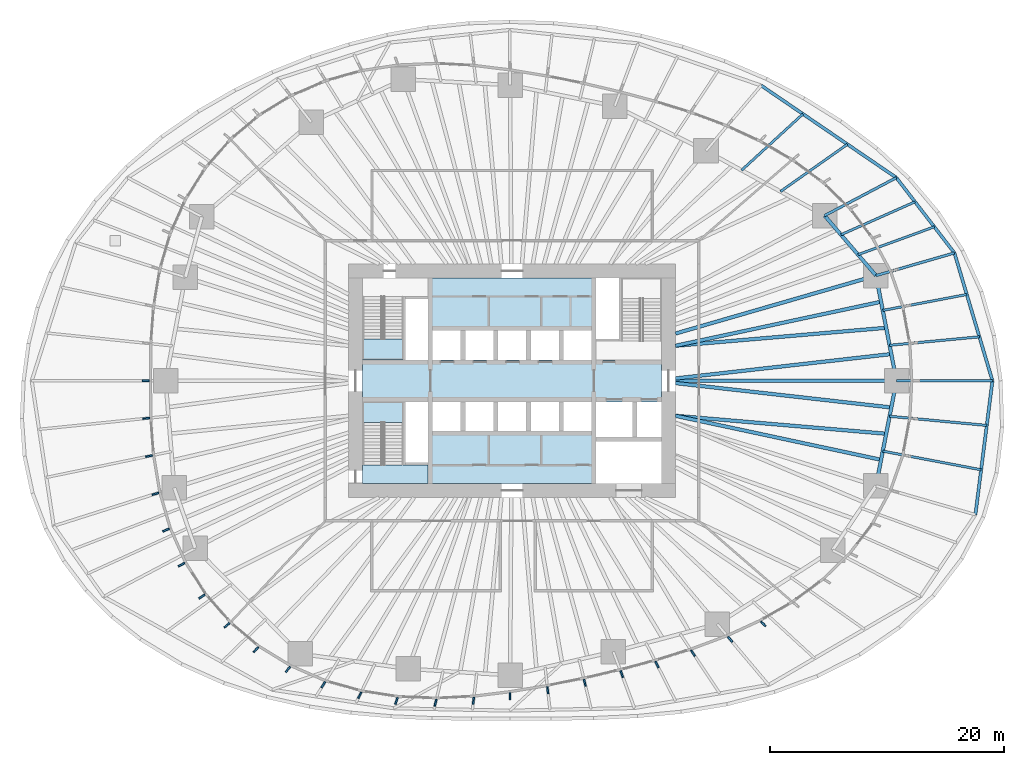
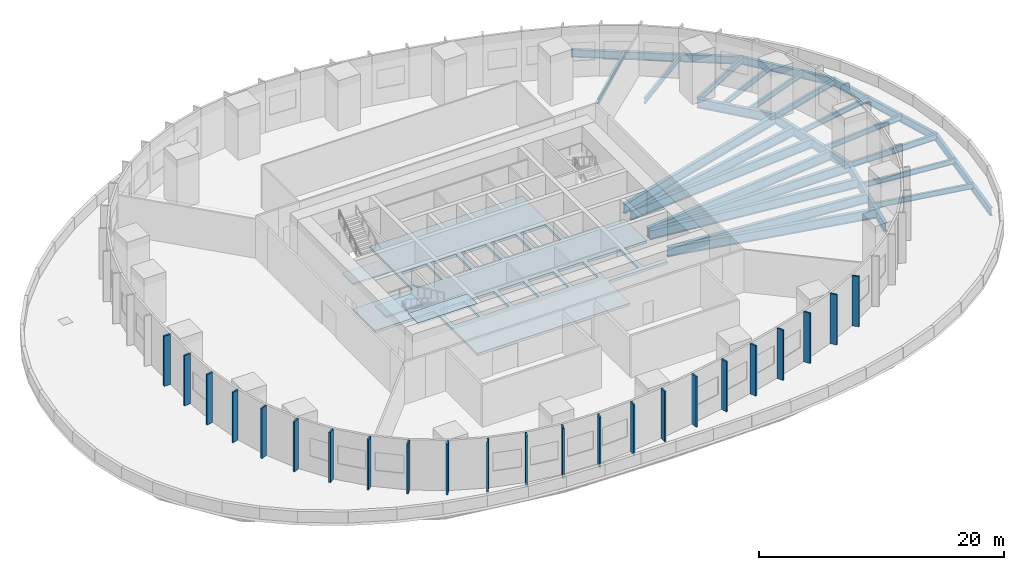
# One storey, part 4 of 11: 26 beams, 23 plates, 4 slabs, 2 elements without a shape of their own.
"""IFC4 building model written with IfcOpenShell, lengths in metres."""

from ifc_helpers import new_model, si_unit, direction, frame, origin, origin_2d, place, context, subcontext, project, spatial, polyline, rectangle, i_section, outline, extrude, material, layer, layer_set, material_profile, profile_set, type_object, element, aggregate, save


model = new_model("IFC4")

# Units and contexts
model_context = context("Model", 3, precision=1e-05, world=origin(), true_north=direction((0.0, 1.0)))
body_context = subcontext(model_context, "Body", "Model", "MODEL_VIEW")
ifc_project = project(units=[si_unit("LENGTHUNIT", "METRE"), si_unit("AREAUNIT", "SQUARE_METRE"), si_unit("VOLUMEUNIT", "CUBIC_METRE"), si_unit("PLANEANGLEUNIT", "RADIAN"), si_unit("MASSUNIT", "GRAM", prefix="KILO")], contexts=[model_context])

# Site, building, storey
site_placement = place(None, origin())
site = spatial("IfcSite", under=ifc_project, at=site_placement, CompositionType="ELEMENT")
building_placement = place(site_placement, origin())
building = spatial("IfcBuilding", under=site, at=building_placement, Name="Ghaith Harvest Tower", CompositionType="ELEMENT")
storey_placement = place(building_placement, frame((0.0, 0.0, 15.0)))
storey = spatial("IfcBuildingStorey", under=building, at=storey_placement, Name="L03", CompositionType="ELEMENT", Elevation=15.0)

# Beams
ifc_material_1 = material(Name="Steel ASTM A992 Grade 50", Category="steel")
ifc_material_profile_1 = material_profile(ifc_material_1, i_section(OverallWidth=0.26806640625, OverallDepth=0.77001953125, WebThickness=0.015625, FlangeThickness=0.025390625, at=origin_2d()), Name="W760X196")
ifc_profile_set_1 = profile_set([ifc_material_profile_1], Name="Steel ASTM A992 Grade 50")
beam_type_1 = type_object("IfcBeamType", Name="E760-196 W760X196", PredefinedType="SPANDREL", material=ifc_profile_set_1)
beam_1_placement = place(storey_placement, frame((41.14111328125, 0.0, -0.68505859375), z_axis=(-0.285129481523, 0.958489008161, 0.0), x_axis=(-0.958489008161, -0.285129481523, 0.0)))
element("IfcBeam", 1, at=beam_1_placement, inside=storey, type_object=beam_type_1, Name="Podium edge beam PE01 L03", PredefinedType="SPANDREL", context=body_context, shape_type="SweptSolid", body=[
    extrude(i_section(OverallWidth=0.26806640625, OverallDepth=0.77001953125, WebThickness=0.015625, FlangeThickness=0.025390625, at=origin_2d()), origin(), (0.0, 0.0, 1.0), 11.423095703125),
])
beam_2_placement = place(storey_placement, frame((37.884033203125, 10.948974609375, -0.68505859375), z_axis=(-0.610915700326, 0.791695653073, 0.0), x_axis=(-0.791695653073, -0.610915700326, 0.0)))
element("IfcBeam", 2, at=beam_2_placement, inside=storey, type_object=beam_type_1, Name="Podium edge beam PE02 L03", PredefinedType="SPANDREL", context=body_context, shape_type="SweptSolid", body=[
    extrude(i_section(OverallWidth=0.26806640625, OverallDepth=0.77001953125, WebThickness=0.015625, FlangeThickness=0.025390625, at=origin_2d()), origin(), (0.0, 0.0, 1.0), 8.14208984375),
])
beam_3_placement = place(storey_placement, frame((32.909912109375, 17.39501953125, -0.68505859375), z_axis=(-0.826222921188, 0.563343309628, 0.0), x_axis=(-0.563343309628, -0.826222921188, 0.0)))
element("IfcBeam", 3, at=beam_3_placement, inside=storey, type_object=beam_type_1, Name="Podium edge beam PE03 L03", PredefinedType="SPANDREL", context=body_context, shape_type="SweptSolid", body=[
    extrude(i_section(OverallWidth=0.26806640625, OverallDepth=0.77001953125, WebThickness=0.015625, FlangeThickness=0.025390625, at=origin_2d()), origin(), (0.0, 0.0, 1.0), 14.01806640625),
])
beam_4_placement = place(storey_placement, frame((39.680908203125, -11.468994140625, -0.68505859375), z_axis=(0.12629810636, 0.991992332798, 0.0), x_axis=(-0.991992332798, 0.12629810636, 0.0)))
element("IfcBeam", 4, at=beam_4_placement, inside=storey, type_object=beam_type_1, Name="Podium edge beam PE20 L03", PredefinedType="SPANDREL", context=body_context, shape_type="SweptSolid", body=[
    extrude(i_section(OverallWidth=0.26806640625, OverallDepth=0.77001953125, WebThickness=0.015625, FlangeThickness=0.025390625, at=origin_2d()), origin(), (0.0, 0.0, 1.0), 11.5615234375),
])
ifc_material_2 = material(Name="Steel ASTM A992 Grade 50", Category="steel")
ifc_material_profile_2 = material_profile(ifc_material_2, i_section(OverallWidth=0.306884765625, OverallDepth=0.94189453125, WebThickness=0.022216796875, FlangeThickness=0.039794921875, at=origin_2d()), Name="W920X345")
ifc_profile_set_2 = profile_set([ifc_material_profile_2], Name="Steel ASTM A992 Grade 50")
beam_type_2 = type_object("IfcBeamType", Name="E920-345 W920X345", PredefinedType="SPANDREL", material=ifc_profile_set_2)
beam_5_placement = place(storey_placement, frame((32.925048828125, 0.0, -0.77099609375), z_axis=(-0.191653479461, 0.981462655332, 0.0), x_axis=(-0.981462655332, -0.191653479461, 0.0)))
element("IfcBeam", 5, at=beam_5_placement, inside=storey, type_object=beam_type_2, Name="Edge beam E01 L03", PredefinedType="SPANDREL", context=body_context, shape_type="SweptSolid", body=[
    extrude(i_section(OverallWidth=0.306884765625, OverallDepth=0.94189453125, WebThickness=0.022216796875, FlangeThickness=0.039794921875, at=origin_2d()), origin(), (0.0, 0.0, 1.0), 9.17822265625),
])
beam_6_placement = place(storey_placement, frame((31.166015625, 9.008056640625, -0.77099609375), z_axis=(-0.65056255283, 0.759452674533, 0.0), x_axis=(-0.759452674533, -0.65056255283, 0.0)))
element("IfcBeam", 6, at=beam_6_placement, inside=storey, type_object=beam_type_2, Name="Edge beam E02 L03", PredefinedType="SPANDREL", context=body_context, shape_type="SweptSolid", body=[
    extrude(i_section(OverallWidth=0.306884765625, OverallDepth=0.94189453125, WebThickness=0.022216796875, FlangeThickness=0.039794921875, at=origin_2d()), origin(), (0.0, 0.0, 1.0), 6.7666015625),
])
beam_7_placement = place(storey_placement, frame((31.166015625, -9.008056640625, -0.77099609375), z_axis=(0.191653479461, 0.981462655332, 0.0), x_axis=(-0.981462655332, 0.191653479461, 0.0)))
element("IfcBeam", 7, at=beam_7_placement, inside=storey, type_object=beam_type_2, Name="Edge beam E20 L03", PredefinedType="SPANDREL", context=body_context, shape_type="SweptSolid", body=[
    extrude(i_section(OverallWidth=0.306884765625, OverallDepth=0.94189453125, WebThickness=0.022216796875, FlangeThickness=0.039794921875, at=origin_2d()), origin(), (0.0, 0.0, 1.0), 9.17822265625),
])
ifc_material_3 = material(Name="Steel ASTM A992 Grade 50", Category="steel")
ifc_material_profile_3 = material_profile(ifc_material_3, i_section(OverallWidth=0.22802734375, OverallDepth=0.60302734375, WebThickness=0.010498046875, FlangeThickness=0.014892578125, at=origin_2d()), Name="W610X101")
ifc_profile_set_3 = profile_set([ifc_material_profile_3], Name="Steel ASTM A992 Grade 50")
beam_type_3 = type_object("IfcBeamType", Name="G610-101 W610X101", PredefinedType="BEAM", material=ifc_profile_set_3)
beam_8_placement = place(storey_placement, frame((32.925048828125, 0.0, -0.6015625), z_axis=(1.0, 0.0, 0.0), x_axis=(0.0, 1.0, 0.0)))
element("IfcBeam", 8, at=beam_8_placement, inside=storey, type_object=beam_type_3, Name="Podium radial beam PR01 L03", PredefinedType="BEAM", context=body_context, shape_type="SweptSolid", body=[
    extrude(i_section(OverallWidth=0.22802734375, OverallDepth=0.60302734375, WebThickness=0.010498046875, FlangeThickness=0.014892578125, at=origin_2d()), origin(), (0.0, 0.0, 1.0), 8.216064453125),
])
beam_9_placement = place(storey_placement, frame((31.166015625, 9.008056640625, -0.6015625), z_axis=(0.960708183392, 0.277560419303, 0.0), x_axis=(-0.277560419303, 0.960708183392, 0.0)))
element("IfcBeam", 9, at=beam_9_placement, inside=storey, type_object=beam_type_3, Name="Podium radial beam PR02 L03", PredefinedType="BEAM", context=body_context, shape_type="SweptSolid", body=[
    extrude(i_section(OverallWidth=0.22802734375, OverallDepth=0.60302734375, WebThickness=0.010498046875, FlangeThickness=0.014892578125, at=origin_2d()), origin(), (0.0, 0.0, 1.0), 6.99267578125),
])
beam_10_placement = place(storey_placement, frame((26.763916015625, 14.14697265625, -0.6015625), z_axis=(0.884127689029, 0.467245363265, 0.0), x_axis=(-0.467245363265, 0.884127689029, 0.0)))
element("IfcBeam", 10, at=beam_10_placement, inside=storey, type_object=beam_type_3, Name="Podium radial beam PR03 L03", PredefinedType="BEAM", context=body_context, shape_type="SweptSolid", body=[
    extrude(i_section(OverallWidth=0.22802734375, OverallDepth=0.60302734375, WebThickness=0.010498046875, FlangeThickness=0.014892578125, at=origin_2d()), origin(), (0.0, 0.0, 1.0), 6.951416015625),
])
ifc_material_4 = material(Name="Steel ASTM A992 Grade 50", Category="steel")
ifc_material_profile_4 = material_profile(ifc_material_4, i_section(OverallWidth=0.306884765625, OverallDepth=0.94189453125, WebThickness=0.022216796875, FlangeThickness=0.039794921875, at=origin_2d()), Name="W920X345")
ifc_profile_set_4 = profile_set([ifc_material_profile_4], Name="Steel ASTM A992 Grade 50")
beam_type_4 = type_object("IfcBeamType", Name="G920-345 W920X345", PredefinedType="BEAM", material=ifc_profile_set_4)
beam_11_placement = place(storey_placement, frame((14.0, 0.0, -0.77099609375), z_axis=(1.0, 0.0, 0.0), x_axis=(0.0, 1.0, 0.0)))
element("IfcBeam", 11, at=beam_11_placement, inside=storey, type_object=beam_type_4, Name="Radial girder G01 L03", PredefinedType="BEAM", context=body_context, shape_type="SweptSolid", body=[
    extrude(i_section(OverallWidth=0.306884765625, OverallDepth=0.94189453125, WebThickness=0.022216796875, FlangeThickness=0.039794921875, at=origin_2d()), origin(), (0.0, 0.0, 1.0), 18.925048828125),
])
beam_12_placement = place(storey_placement, frame((14.0, 4.04638671875, -0.77099609375), z_axis=(0.960675395102, 0.277673882903, 0.0), x_axis=(-0.277673882903, 0.960675395102, 0.0)))
element("IfcBeam", 12, at=beam_12_placement, inside=storey, type_object=beam_type_4, Name="Radial girder G02 L03", PredefinedType="BEAM", context=body_context, shape_type="SweptSolid", body=[
    extrude(i_section(OverallWidth=0.306884765625, OverallDepth=0.94189453125, WebThickness=0.022216796875, FlangeThickness=0.039794921875, at=origin_2d()), origin(), (0.0, 0.0, 1.0), 17.86865234375),
])
ifc_material_5 = material(Name="Steel ASTM A992 Grade 50", Category="steel")
ifc_material_profile_5 = material_profile(ifc_material_5, i_section(OverallWidth=0.208984375, OverallDepth=0.532958984375, WebThickness=0.01025390625, FlangeThickness=0.015625, at=origin_2d()), Name="W530X92")
ifc_profile_set_5 = profile_set([ifc_material_profile_5], Name="Steel ASTM A992 Grade 50")
beam_type_5 = type_object("IfcBeamType", Name="J530-92 W530X92", PredefinedType="JOIST", material=ifc_profile_set_5)
beam_13_placement = place(storey_placement, frame((32.331298828125, 3.041015625, -0.56640625), z_axis=(0.995604617751, 0.093655993472, 0.0), x_axis=(-0.093655993472, 0.995604617751, 0.0)))
element("IfcBeam", 13, at=beam_13_placement, inside=storey, type_object=beam_type_5, Name="Podium joist PJ01.1 L03", PredefinedType="JOIST", context=body_context, shape_type="SweptSolid", body=[
    extrude(i_section(OverallWidth=0.208984375, OverallDepth=0.532958984375, WebThickness=0.01025390625, FlangeThickness=0.015625, at=origin_2d()), origin(), (0.0, 0.0, 1.0), 7.723876953125),
])
beam_14_placement = place(storey_placement, frame((31.748291015625, 6.02587890625, -0.56640625), z_axis=(0.982459468038, 0.186476254954, 0.0), x_axis=(-0.186476254954, 0.982459468038, 0.0)))
element("IfcBeam", 14, at=beam_14_placement, inside=storey, type_object=beam_type_5, Name="Podium joist PJ01.2 L03", PredefinedType="JOIST", context=body_context, shape_type="SweptSolid", body=[
    extrude(i_section(OverallWidth=0.208984375, OverallDepth=0.532958984375, WebThickness=0.01025390625, FlangeThickness=0.015625, at=origin_2d()), origin(), (0.0, 0.0, 1.0), 7.322509765625),
])
beam_15_placement = place(storey_placement, frame((29.628173828125, 10.803466796875, -0.56640625), z_axis=(0.939491579634, 0.342571995056, 0.0), x_axis=(-0.342571995056, 0.939491579634, 0.0)))
element("IfcBeam", 15, at=beam_15_placement, inside=storey, type_object=beam_type_5, Name="Podium joist PJ02.1 L03", PredefinedType="JOIST", context=body_context, shape_type="SweptSolid", body=[
    extrude(i_section(OverallWidth=0.208984375, OverallDepth=0.532958984375, WebThickness=0.01025390625, FlangeThickness=0.015625, at=origin_2d()), origin(), (0.0, 0.0, 1.0), 6.951416015625),
])
beam_16_placement = place(storey_placement, frame((28.1669921875, 12.50927734375, -0.56640625), z_axis=(0.913913106529, 0.405909883735, 0.0), x_axis=(-0.405909883735, 0.913913106529, 0.0)))
element("IfcBeam", 16, at=beam_16_placement, inside=storey, type_object=beam_type_5, Name="Podium joist PJ02.2 L03", PredefinedType="JOIST", context=body_context, shape_type="SweptSolid", body=[
    extrude(i_section(OverallWidth=0.208984375, OverallDepth=0.532958984375, WebThickness=0.01025390625, FlangeThickness=0.015625, at=origin_2d()), origin(), (0.0, 0.0, 1.0), 6.937255859375),
])
beam_17_placement = place(storey_placement, frame((22.986083984375, 16.210693359375, -0.56640625), z_axis=(0.817208951885, 0.576341503762, 0.0), x_axis=(-0.576341503762, 0.817208951885, 0.0)))
element("IfcBeam", 17, at=beam_17_placement, inside=storey, type_object=beam_type_5, Name="Podium joist PJ03.1 L03", PredefinedType="JOIST", context=body_context, shape_type="SweptSolid", body=[
    extrude(i_section(OverallWidth=0.208984375, OverallDepth=0.532958984375, WebThickness=0.01025390625, FlangeThickness=0.015625, at=origin_2d()), origin(), (0.0, 0.0, 1.0), 7.013916015625),
])
beam_18_placement = place(storey_placement, frame((19.6572265625, 18.029296875, -0.56640625), z_axis=(0.736957960195, 0.67593858072, 0.0), x_axis=(-0.67593858072, 0.736957960195, 0.0)))
element("IfcBeam", 18, at=beam_18_placement, inside=storey, type_object=beam_type_5, Name="Podium joist PJ03.2 L03", PredefinedType="JOIST", context=body_context, shape_type="SweptSolid", body=[
    extrude(i_section(OverallWidth=0.208984375, OverallDepth=0.532958984375, WebThickness=0.01025390625, FlangeThickness=0.015625, at=origin_2d()), origin(), (0.0, 0.0, 1.0), 7.1298828125),
])
beam_19_placement = place(storey_placement, frame((31.748291015625, -6.02587890625, -0.56640625), z_axis=(0.982458016954, -0.186483899905, 0.0), x_axis=(0.186483899905, 0.982458016954, 0.0)))
element("IfcBeam", 19, at=beam_19_placement, inside=storey, type_object=beam_type_5, Name="Podium joist PJ20.1 L03", PredefinedType="JOIST", context=body_context, shape_type="SweptSolid", body=[
    extrude(i_section(OverallWidth=0.208984375, OverallDepth=0.532958984375, WebThickness=0.01025390625, FlangeThickness=0.015625, at=origin_2d()), origin(), (0.0, 0.0, 1.0), 8.572509765625),
])
beam_20_placement = place(storey_placement, frame((32.331298828125, -3.041015625, -0.56640625), z_axis=(0.995604405676, -0.093658247895, 0.0), x_axis=(0.093658247895, 0.995604405676, 0.0)))
element("IfcBeam", 20, at=beam_20_placement, inside=storey, type_object=beam_type_5, Name="Podium joist PJ20.2 L03", PredefinedType="JOIST", context=body_context, shape_type="SweptSolid", body=[
    extrude(i_section(OverallWidth=0.208984375, OverallDepth=0.532958984375, WebThickness=0.01025390625, FlangeThickness=0.015625, at=origin_2d()), origin(), (0.0, 0.0, 1.0), 8.35986328125),
])
ifc_material_6 = material(Name="Steel ASTM A992 Grade 50", Category="steel")
ifc_material_profile_6 = material_profile(ifc_material_6, i_section(OverallWidth=0.306884765625, OverallDepth=0.94189453125, WebThickness=0.022216796875, FlangeThickness=0.039794921875, at=origin_2d()), Name="W920X345")
ifc_profile_set_6 = profile_set([ifc_material_profile_6], Name="Steel ASTM A992 Grade 50")
beam_type_6 = type_object("IfcBeamType", Name="J920-345 W920X345", PredefinedType="JOIST", material=ifc_profile_set_6)
beam_21_placement = place(storey_placement, frame((14.0, 0.199951171875, -0.77099609375), z_axis=(0.993675458798, 0.112290171352, 0.0), x_axis=(-0.112290171352, 0.993675458798, 0.0)))
element("IfcBeam", 21, at=beam_21_placement, inside=storey, type_object=beam_type_6, Name="Joist J01.1 L03", PredefinedType="JOIST", context=body_context, shape_type="SweptSolid", body=[
    extrude(i_section(OverallWidth=0.306884765625, OverallDepth=0.94189453125, WebThickness=0.022216796875, FlangeThickness=0.039794921875, at=origin_2d()), origin(), (0.0, 0.0, 1.0), 18.595947265625),
])
beam_22_placement = place(storey_placement, frame((14.0, 3.0, -0.77099609375), z_axis=(0.996389274474, 0.084902377546, 0.0), x_axis=(-0.084902377546, 0.996389274474, 0.0)))
element("IfcBeam", 22, at=beam_22_placement, inside=storey, type_object=beam_type_6, Name="Joist J01.2 L03", PredefinedType="JOIST", context=body_context, shape_type="SweptSolid", body=[
    extrude(i_section(OverallWidth=0.306884765625, OverallDepth=0.94189453125, WebThickness=0.022216796875, FlangeThickness=0.039794921875, at=origin_2d()), origin(), (0.0, 0.0, 1.0), 18.1044921875),
])
for number, where, z_axis, x_axis, name in (
    (23, (14.0, 3.0, -0.77099609375), (0.977831380626, 0.209393865869, 0.0), (-0.209393865869, 0.977831380626, 0.0), "Joist J01.3 L03"),
    (24, (14.0, -3.0, -0.77099609375), (0.977831380626, -0.209393865869, 0.0), (0.209393865869, 0.977831380626, 0.0), "Joist J20.1 L03"),
):
    element("IfcBeam", number, at=place(storey_placement, frame(where, z_axis=z_axis, x_axis=x_axis)), inside=storey, type_object=beam_type_6, Name=name, PredefinedType="JOIST", context=body_context, shape_type="SweptSolid", body=[
        extrude(i_section(OverallWidth=0.306884765625, OverallDepth=0.94189453125, WebThickness=0.022216796875, FlangeThickness=0.039794921875, at=origin_2d()), origin(), (0.0, 0.0, 1.0), 18.002197265625),
    ])
beam_23_placement = place(storey_placement, frame((14.0, -3.0, -0.77099609375), z_axis=(0.996389274474, -0.084902377546, 0.0), x_axis=(0.084902377546, 0.996389274474, 0.0)))
element("IfcBeam", 25, at=beam_23_placement, inside=storey, type_object=beam_type_6, Name="Joist J20.2 L03", PredefinedType="JOIST", context=body_context, shape_type="SweptSolid", body=[
    extrude(i_section(OverallWidth=0.306884765625, OverallDepth=0.94189453125, WebThickness=0.022216796875, FlangeThickness=0.039794921875, at=origin_2d()), origin(), (0.0, 0.0, 1.0), 18.1044921875),
])
beam_24_placement = place(storey_placement, frame((14.0, -0.199951171875, -0.77099609375), z_axis=(0.993675458798, -0.112290171352, 0.0), x_axis=(0.112290171352, 0.993675458798, 0.0)))
element("IfcBeam", 26, at=beam_24_placement, inside=storey, type_object=beam_type_6, Name="Joist J20.3 L03", PredefinedType="JOIST", context=body_context, shape_type="SweptSolid", body=[
    extrude(i_section(OverallWidth=0.306884765625, OverallDepth=0.94189453125, WebThickness=0.022216796875, FlangeThickness=0.039794921875, at=origin_2d()), origin(), (0.0, 0.0, 1.0), 18.595947265625),
])

# Slab
ifc_material_7 = material(Name="Concrete C40/50", Category="concrete")
ifc_layer_1 = layer(ifc_material_7, 0.25)
ifc_layer_set_1 = layer_set([ifc_layer_1], Name="FLOOR SLAB 250")
slab_type_1 = type_object("IfcSlabType", Name="FLOOR SLAB 250", PredefinedType="FLOOR", material=ifc_layer_set_1)
slab_1_placement = place(storey_placement, frame((0.0, 0.0, -0.25)))
element("IfcSlab", 27, at=slab_1_placement, inside=storey, type_object=slab_type_1, Name="Core slab L03", PredefinedType="FLOOR", context=body_context, shape_type="SweptSolid", body=[
    extrude(outline(polyline([(-12.800048828125, 1.800048828125), (-7.199951171875, 1.800048828125), (-7.199951171875, 8.800048828125), (7.199951171875, 8.800048828125), (7.199951171875, 1.800048828125), (12.800048828125, 1.800048828125), (12.800048828125, -1.800048828125), (10.699951171875, -1.800048828125), (10.699951171875, -4.800048828125), (12.800048828125, -4.800048828125), (12.800048828125, -5.199951171875), (7.199951171875, -5.199951171875), (7.199951171875, -8.800048828125), (-7.199951171875, -8.800048828125), (-7.199951171875, -1.800048828125), (-12.800048828125, -1.800048828125), (-12.800048828125, 1.800048828125)]), holes=[polyline([(-4.39990234375, -4.300048828125), (-4.39990234375, -1.800048828125), (-6.800048828125, -1.800048828125), (-6.800048828125, -4.300048828125), (-4.39990234375, -4.300048828125)]), polyline([(-1.60009765625, -4.300048828125), (-1.60009765625, -1.800048828125), (-4.0, -1.800048828125), (-4.0, -4.300048828125), (-1.60009765625, -4.300048828125)]), polyline([(1.199951171875, -4.300048828125), (1.199951171875, -1.800048828125), (-1.199951171875, -1.800048828125), (-1.199951171875, -4.300048828125), (1.199951171875, -4.300048828125)]), polyline([(-4.39990234375, 1.800048828125), (-4.39990234375, 4.300048828125), (-6.800048828125, 4.300048828125), (-6.800048828125, 1.800048828125), (-4.39990234375, 1.800048828125)]), polyline([(-1.60009765625, 1.800048828125), (-1.60009765625, 4.300048828125), (-4.0, 4.300048828125), (-4.0, 1.800048828125), (-1.60009765625, 1.800048828125)]), polyline([(1.199951171875, 1.800048828125), (1.199951171875, 4.300048828125), (-1.199951171875, 4.300048828125), (-1.199951171875, 1.800048828125), (1.199951171875, 1.800048828125)]), polyline([(10.300048828125, -4.800048828125), (10.300048828125, -1.800048828125), (7.199951171875, -1.800048828125), (7.199951171875, -4.800048828125), (10.300048828125, -4.800048828125)]), polyline([(4.0, -4.300048828125), (4.0, -1.800048828125), (1.60009765625, -1.800048828125), (1.60009765625, -4.300048828125), (4.0, -4.300048828125)]), polyline([(6.800048828125, -4.300048828125), (6.800048828125, -1.800048828125), (4.39990234375, -1.800048828125), (4.39990234375, -4.300048828125), (6.800048828125, -4.300048828125)]), polyline([(4.0, 1.800048828125), (4.0, 4.300048828125), (1.60009765625, 4.300048828125), (1.60009765625, 1.800048828125), (4.0, 1.800048828125)]), polyline([(6.800048828125, 1.800048828125), (6.800048828125, 4.300048828125), (4.39990234375, 4.300048828125), (4.39990234375, 1.800048828125), (6.800048828125, 1.800048828125)])]), origin(), (0.0, 0.0, 1.0), 0.25),
])

# Stair, slab
ifc_material_8 = material(Name="Concrete C40/50, precast", Category="concrete")
stair_type = type_object("IfcStairType", Name="CORE STAIR 28R", PredefinedType="HALF_TURN_STAIR", material=ifc_material_8)
stair_1_placement = place(storey_placement, origin())
stair_1 = element("IfcStair", 28, at=stair_1_placement, inside=storey, type_object=stair_type, Name="Stair ST1 L03", PredefinedType="HALF_TURN_STAIR")
ifc_material_9 = material(Name="Concrete C40/50, precast", Category="concrete")
ifc_layer_2 = layer(ifc_material_9, 0.179931640625)
ifc_layer_set_2 = layer_set([ifc_layer_2], Name="STAIR LANDING 180")
slab_type_2 = type_object("IfcSlabType", Name="STAIR LANDING 180", PredefinedType="LANDING", material=ifc_layer_set_2)
slab_2_placement = place(storey_placement, frame((0.0, 0.0, 2.320068359375)))
slab_2 = element("IfcSlab", 29, at=slab_2_placement, type_object=slab_type_2, Name="ST1 landing 1", PredefinedType="LANDING", context=body_context, shape_type="SweptSolid", body=[
    extrude(outline(polyline([(-12.800048828125, 3.580078125), (-12.800048828125, 1.800048828125), (-9.35009765625, 1.800048828125), (-9.35009765625, 3.580078125), (-12.800048828125, 3.580078125)])), origin(), (0.0, 0.0, 1.0), 0.179931640625),
])
aggregate(stair_1, [slab_2])

# Stair, slabs
stair_2_placement = place(storey_placement, origin())
stair_2 = element("IfcStair", 30, at=stair_2_placement, inside=storey, type_object=stair_type, Name="Stair ST3 L03", PredefinedType="HALF_TURN_STAIR")
slab_3_placement = place(storey_placement, frame((0.0, 0.0, 2.320068359375)))
slab_3 = element("IfcSlab", 31, at=slab_3_placement, type_object=slab_type_2, Name="ST3 landing 1", PredefinedType="LANDING", context=body_context, shape_type="SweptSolid", body=[
    extrude(outline(polyline([(-12.800048828125, -3.580078125), (-12.800048828125, -1.800048828125), (-9.35009765625, -1.800048828125), (-9.35009765625, -3.580078125), (-12.800048828125, -3.580078125)])), origin(), (0.0, 0.0, 1.0), 0.179931640625),
])
slab_4_placement = place(storey_placement, frame((0.0, 0.0, 4.820068359375)))
slab_4 = element("IfcSlab", 32, at=slab_4_placement, type_object=slab_type_2, Name="ST3 landing 2", PredefinedType="LANDING", context=body_context, shape_type="SweptSolid", body=[
    extrude(outline(polyline([(-12.800048828125, -8.800048828125), (-12.800048828125, -7.199951171875), (-7.199951171875, -7.199951171875), (-7.199951171875, -8.800048828125), (-12.800048828125, -8.800048828125)])), origin(), (0.0, 0.0, 1.0), 0.179931640625),
])
aggregate(stair_2, [slab_3, slab_4])

# Plates
ifc_material_10 = material(Name="Glassfibre-reinforced concrete", Category="concrete")
ifc_layer_3 = layer(ifc_material_10, 0.14990234375)
ifc_layer_set_3 = layer_set([ifc_layer_3], Name="SUN-BREAKER FIN 600x150")
plate_type = type_object("IfcPlateType", Name="SUN-BREAKER FIN 600x150", PredefinedType="USERDEFINED", material=ifc_layer_set_3)
for number, where, z_axis, x_axis, name in (
    (33, (-31.375, 0.0, 0.0), (0.0, 0.0, 1.0), (-1.0, -4.19e-10, 0.0), "Sun-breaker fin 11.1 L03"),
    (34, (-31.33447265625, -3.216796875, 0.0), (0.0, 0.0, 1.0), (-0.99477175289, -0.10212325716, 0.0), "Sun-breaker fin 11.2 L03"),
    (35, (-31.096435546875, -6.45263671875, 0.0), (0.0, 0.0, 1.0), (-0.979141680776, -0.203178662678, 0.0), "Sun-breaker fin 11.3 L03"),
    (36, (-30.550537109375, -9.68212890625, 0.0), (0.0, 0.0, 1.0), (-0.953273219416, -0.302109531701, 0.0), "Sun-breaker fin 12.1 L03"),
    (37, (-29.641357421875, -12.785888671875, 0.0), (0.0, 0.0, 1.0), (-0.918217993291, -0.396075392819, 0.0), "Sun-breaker fin 12.2 L03"),
    (38, (-28.318603515625, -15.75, 0.0), (0.0, 0.0, 1.0), (-0.873926916099, -0.486057347767, 0.0), "Sun-breaker fin 12.3 L03"),
    (39, (-26.574951171875, -18.4912109375, 0.0), (0.0, 0.0, 1.0), (-0.820845486622, -0.571150319173, 0.0), "Sun-breaker fin 13.1 L03"),
    (40, (-24.427978515625, -20.94384765625, 0.0), (0.0, 0.0, 1.0), (-0.759169742756, -0.650892695982, 0.0), "Sun-breaker fin 13.2 L03"),
    (41, (-21.94384765625, -23.033203125, 0.0), (0.0, 0.0, 1.0), (-0.689778750378, -0.724020217623, 0.0), "Sun-breaker fin 13.3 L03"),
    (42, (-19.2001953125, -24.722412109375, 0.0), (0.0, 0.0, 1.0), (-0.613377713774, -0.789789706343, 0.0), "Sun-breaker fin 14.1 L03"),
    (43, (-16.171630859375, -26.039306640625, 0.0), (0.0, 0.0, 1.0), (-0.527582794798, -0.84950361661, 0.0), "Sun-breaker fin 14.2 L03"),
    (44, (-13.046142578125, -26.9267578125, 0.0), (0.0, 0.0, 1.0), (-0.436023231404, -0.899935409724, 0.0), "Sun-breaker fin 14.3 L03"),
    (45, (-9.903564453125, -27.420166015625, 0.0), (0.0, 0.0, 1.0), (-0.33969945263, -0.940534040789, 0.0), "Sun-breaker fin 15.1 L03"),
    (46, (-6.552978515625, -27.571533203125, 0.0), (0.0, 0.0, 1.0), (-0.231234278264, -0.972898097724, 0.0), "Sun-breaker fin 15.2 L03"),
    (47, (-3.307373046875, -27.406982421875, 0.0), (0.0, 0.0, 1.0), (-0.119806501119, -0.992797261423, 0.0), "Sun-breaker fin 15.3 L03"),
    (48, (-0.18505859375, -27.027099609375, 0.0), (0.0, 0.0, 1.0), (-0.006843747957, -0.999976581283, 0.0), "Sun-breaker fin 16.1 L03"),
    (49, (3.052734375, -26.500732421875, 0.0), (0.0, 0.0, 1.0), (0.114436255493, -0.993430593161, 0.0), "Sun-breaker fin 16.2 L03"),
    (50, (6.22607421875, -25.86474609375, 0.0), (0.0, 0.0, 1.0), (0.234028131836, -0.972229825458, 0.0), "Sun-breaker fin 16.3 L03"),
    (51, (9.390380859375, -25.119140625, 0.0), (0.0, 0.0, 1.0), (0.35016769691, -0.93668702566, 0.0), "Sun-breaker fin 17.1 L03"),
    (52, (12.406982421875, -24.302978515625, 0.0), (0.0, 0.0, 1.0), (0.454690809527, -0.890649351727, 0.0), "Sun-breaker fin 17.2 L03"),
    (53, (15.497802734375, -23.332763671875, 0.0), (0.0, 0.0, 1.0), (0.553282686659, -0.832993558584, 0.0), "Sun-breaker fin 17.3 L03"),
    (54, (18.66748046875, -22.13720703125, 0.0), (0.0, 0.0, 1.0), (0.644657240069, -0.764471741025, 0.0), "Sun-breaker fin 18.1 L03"),
    (55, (21.508544921875, -20.8173828125, 0.0), (0.0, 0.0, 1.0), (0.718558965078, -0.695466040656, 0.0), "Sun-breaker fin 18.2 L03"),
):
    element("IfcPlate", number, at=place(storey_placement, frame(where, z_axis=z_axis, x_axis=x_axis)), inside=storey, type_object=plate_type, Name=name, ObjectType="SUN-BREAKER FIN", PredefinedType="USERDEFINED", context=body_context, shape_type="SweptSolid", body=[
        extrude(rectangle(XDim=0.60009765625, YDim=0.14990234375, at=origin_2d()), origin(), (0.0, 0.0, 1.0), 5.0),
    ])

save(model, "model.ifc")
